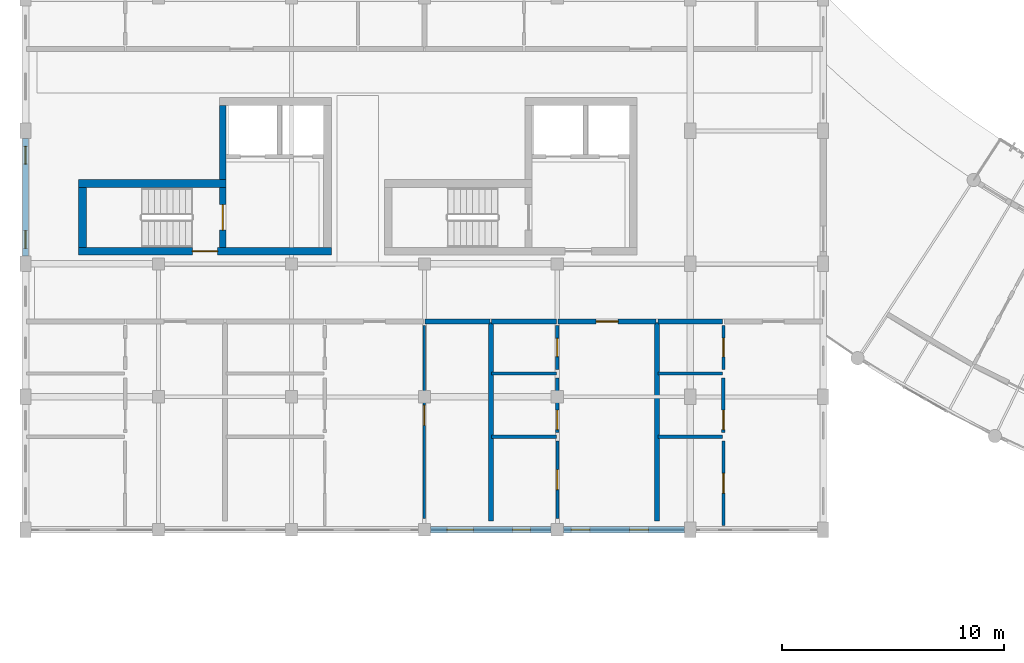
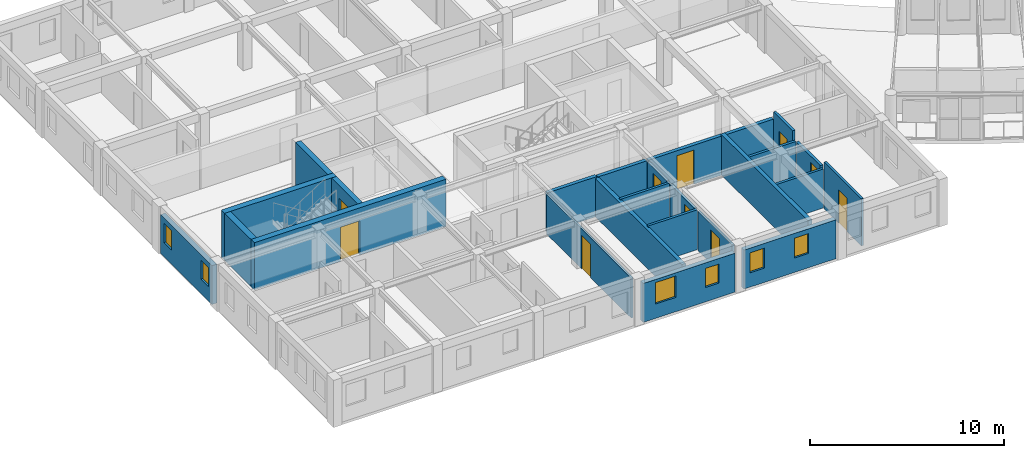
# One storey, part 55 of 101: 25 walls, 10 doors, 6 windows, 16 openings.
"""IFC4 building model written with IfcOpenShell, lengths in metres."""

from ifc_helpers import new_model, si_unit, direction, frame, frame_2d, origin, place, context, subcontext, project, spatial, rectangle, extrude, material, layer, layer_set, type_object, element, fill, save


model = new_model("IFC4")

# Units and contexts
model_context = context("Model", 3, precision=1e-05, world=origin(), true_north=direction((0.0, 1.0)))
body_context = subcontext(model_context, "Body", "Model", "MODEL_VIEW")
ifc_project = project(units=[si_unit("LENGTHUNIT", "METRE"), si_unit("AREAUNIT", "SQUARE_METRE"), si_unit("VOLUMEUNIT", "CUBIC_METRE"), si_unit("PLANEANGLEUNIT", "RADIAN"), si_unit("MASSUNIT", "GRAM", prefix="KILO"), si_unit("POWERUNIT", "WATT"), si_unit("THERMODYNAMICTEMPERATUREUNIT", "KELVIN")], contexts=[model_context])

# Site, building, storey
site_placement = place(None, origin())
site = spatial("IfcSite", under=ifc_project, at=site_placement, CompositionType="ELEMENT")
building_placement = place(site_placement, origin())
building = spatial("IfcBuilding", under=site, at=building_placement, Name="Ruvembo Vaulted Housing Court", CompositionType="ELEMENT")
storey_placement = place(building_placement, frame((0.0, 0.0, 17.300048828125)))
storey = spatial("IfcBuildingStorey", under=building, at=storey_placement, Name="L05", CompositionType="ELEMENT", Elevation=17.300048828125)

# Wall, opening, door
ifc_material_1 = material(Name="Concrete C35/45", Category="concrete")
ifc_layer_1 = layer(ifc_material_1, 0.300048828125, Name="Concrete C35/45")
ifc_layer_set_1 = layer_set([ifc_layer_1], Name="Concrete C35/45")
wall_type_1 = type_object("IfcWallType", Name="WL-CORE-300", PredefinedType="SHEAR", material=ifc_layer_set_1)
wall_1_placement = place(storey_placement, frame((8.89990234375, 18.75, 0.0), z_axis=(0.0, 0.0, 1.0), x_axis=(0.0, 1.0, 0.0)))
wall_1 = element("IfcWall", 1, at=wall_1_placement, inside=storey, type_object=wall_type_1, Name="Core A1 L05 Stair-Lobby Shear Wall", PredefinedType="SHEAR", context=body_context, shape_type="SweptSolid", body=[
    extrude(rectangle(XDim=2.699951171875, YDim=0.300048828125, at=frame_2d((1.35009765625, 0.0))), origin(), (0.0, 0.0, 1.0), 2.96484375),
])
opening_1_placement = place(wall_1_placement, frame((0.77490234375, 0.0, 0.0)))
opening_1 = element("IfcOpeningElement", 2, at=opening_1_placement, cuts=wall_1, Name="Opening SD1", PredefinedType="OPENING", context=body_context, shape_type="SweptSolid", body=[
    extrude(rectangle(XDim=1.14990234375, YDim=2.14990234375, at=frame_2d((0.574951171875, 1.074951171875))), frame((0.0, 0.159912109375, 0.0), z_axis=(0.0, -1.0, 0.0), x_axis=(1.0, 0.0, 0.0)), (0.0, 0.0, 1.0), 0.320068359375),
])
ifc_material_2 = material(Name="Galvanised Painted Steel", Category="steel")
door_type_1 = type_object("IfcDoorType", Name="DR-STAIR-1150x2150", OperationType="NOTDEFINED", PredefinedType="DOOR", material=ifc_material_2)
door_1_placement = place(opening_1_placement, origin())
door_1 = element("IfcDoor", 3, at=door_1_placement, inside=storey, type_object=door_type_1, Name="Stair ST-A1 L05 Fire Door", OperationType="SINGLE_SWING_RIGHT", OverallHeight=2.14990234375, OverallWidth=1.14990234375, PredefinedType="DOOR", context=body_context, shape_type="SweptSolid", body=[
    extrude(rectangle(XDim=1.14990234375, YDim=2.14990234375, at=frame_2d((0.574951171875, 1.074951171875))), frame((0.0, 0.02490234375, 0.0), z_axis=(0.0, -1.0, 0.0), x_axis=(1.0, 0.0, 0.0)), (0.0, 0.0, 1.0), 0.050048828125),
])
fill(opening_1, door_1)

# Wall
wall_2_placement = place(storey_placement, frame((8.89990234375, 21.800048828125, 0.0), z_axis=(0.0, 0.0, 1.0), x_axis=(0.0, 1.0, 0.0)))
element("IfcWall", 4, at=wall_2_placement, inside=storey, type_object=wall_type_1, Name="Core A1 L05 Upper West Shear Wall", PredefinedType="SHEAR", context=body_context, shape_type="SweptSolid", body=[
    extrude(rectangle(XDim=3.349853515625, YDim=0.300048828125, at=frame_2d((1.6748046875, 0.0))), origin(), (0.0, 0.0, 1.0), 2.96484375),
])

# Wall, opening, door
ifc_layer_2 = layer(ifc_material_1, 0.35009765625, Name="Concrete C35/45")
ifc_layer_set_2 = layer_set([ifc_layer_2], Name="Concrete C35/45")
wall_type_2 = type_object("IfcWallType", Name="WL-CORE-350", PredefinedType="SHEAR", material=ifc_layer_set_2)
wall_3_placement = place(storey_placement, frame((2.39990234375, 18.574951171875, 0.0), z_axis=(0.0, 0.0, 1.0), x_axis=(1.0, 0.0, 0.0)))
wall_3 = element("IfcWall", 5, at=wall_3_placement, inside=storey, type_object=wall_type_2, Name="Core A1 L05 South Shear Wall", PredefinedType="SHEAR", context=body_context, shape_type="SweptSolid", body=[
    extrude(rectangle(XDim=11.400146484375, YDim=0.35009765625, at=frame_2d((5.7001953125, 0.0))), origin(), (0.0, 0.0, 1.0), 2.96484375),
])
opening_2_placement = place(wall_3_placement, frame((5.125, 0.0, 0.0)))
opening_2 = element("IfcOpeningElement", 6, at=opening_2_placement, cuts=wall_3, Name="Opening LD0", PredefinedType="OPENING", context=body_context, shape_type="SweptSolid", body=[
    extrude(rectangle(XDim=1.14990234375, YDim=2.14990234375, at=frame_2d((0.574951171875, 1.074951171875))), frame((0.0, 0.18505859375, 0.0), z_axis=(0.0, -1.0, 0.0), x_axis=(1.0, 0.0, 0.0)), (0.0, 0.0, 1.0), 0.3701171875),
])
door_type_2 = type_object("IfcDoorType", Name="DR-LOB-1150x2150", OperationType="NOTDEFINED", PredefinedType="DOOR", material=ifc_material_2)
door_2_placement = place(opening_2_placement, origin())
door_2 = element("IfcDoor", 7, at=door_2_placement, inside=storey, type_object=door_type_2, Name="Core A1 L05 Lobby Fire Door", OperationType="SINGLE_SWING_LEFT", OverallHeight=2.14990234375, OverallWidth=1.14990234375, PredefinedType="DOOR", context=body_context, shape_type="SweptSolid", body=[
    extrude(rectangle(XDim=1.14990234375, YDim=2.14990234375, at=frame_2d((0.574951171875, 1.074951171875))), frame((0.0, 0.02490234375, 0.0), z_axis=(0.0, -1.0, 0.0), x_axis=(1.0, 0.0, 0.0)), (0.0, 0.0, 1.0), 0.050048828125),
])
fill(opening_2, door_2)

# Walls
wall_4_placement = place(storey_placement, frame((9.050048828125, 21.625, 0.0), z_axis=(0.0, 0.0, 1.0), x_axis=(-1.0, 0.0, 0.0)))
element("IfcWall", 8, at=wall_4_placement, inside=storey, type_object=wall_type_2, Name="Core A1 L05 Stair North Shear Wall", PredefinedType="SHEAR", context=body_context, shape_type="SweptSolid", body=[
    extrude(rectangle(XDim=6.650146484375, YDim=0.35009765625, at=frame_2d((3.3251953125, 0.0))), origin(), (0.0, 0.0, 1.0), 2.96484375),
])
wall_5_placement = place(storey_placement, frame((2.574951171875, 21.449951171875, 0.0), z_axis=(0.0, 0.0, 1.0), x_axis=(0.0, -1.0, 0.0)))
element("IfcWall", 9, at=wall_5_placement, inside=storey, type_object=wall_type_2, Name="Core A1 L05 Stair West Shear Wall", PredefinedType="SHEAR", context=body_context, shape_type="SweptSolid", body=[
    extrude(rectangle(XDim=2.699951171875, YDim=0.35009765625, at=frame_2d((1.35009765625, 0.0))), origin(), (0.0, 0.0, 1.0), 2.96484375),
])
ifc_material_3 = material(Name="Concrete Blockwork 210", Category="masonry")
ifc_layer_3 = layer(ifc_material_3, 0.2099609375, Name="Concrete Blockwork 210")
ifc_layer_set_3 = layer_set([ifc_layer_3], Name="Concrete Blockwork 210")
wall_type_3 = type_object("IfcWallType", Name="WL-CORR-210", PredefinedType="SOLIDWALL", material=ifc_layer_set_3)
wall_6_placement = place(storey_placement, frame((18.0400390625, 15.39990234375, 0.0), z_axis=(0.0, 0.0, 1.0), x_axis=(1.0, 0.0, 0.0)))
element("IfcWall", 10, at=wall_6_placement, inside=storey, type_object=wall_type_3, Name="L05 Flat A-L05-S2 Corridor Wall 2 WL-INT-L05-01396", PredefinedType="SOLIDWALL", context=body_context, shape_type="SweptSolid", body=[
    extrude(rectangle(XDim=2.919921875, YDim=0.2099609375, at=frame_2d((1.4599609375, 0.0))), origin(), (0.0, 0.0, 1.0), 2.508056640625),
])
wall_7_placement = place(storey_placement, frame((21.0400390625, 15.39990234375, 0.0), z_axis=(0.0, 0.0, 1.0), x_axis=(1.0, 0.0, 0.0)))
element("IfcWall", 11, at=wall_7_placement, inside=storey, type_object=wall_type_3, Name="L05 Flat A-L05-S3 Corridor Wall WL-INT-L05-01399", PredefinedType="SOLIDWALL", context=body_context, shape_type="SweptSolid", body=[
    extrude(rectangle(XDim=2.919921875, YDim=0.2099609375, at=frame_2d((1.4599609375, 0.0))), origin(), (0.0, 0.0, 1.0), 2.4580078125),
])

# Wall, opening, door
wall_8_placement = place(storey_placement, frame((24.0400390625, 15.39990234375, 0.0), z_axis=(0.0, 0.0, 1.0), x_axis=(1.0, 0.0, 0.0)))
wall_8 = element("IfcWall", 12, at=wall_8_placement, inside=storey, type_object=wall_type_3, Name="L05 Flat A-L05-S3 Entrance WL-INT-L05-01400", PredefinedType="SOLIDWALL", context=body_context, shape_type="SweptSolid", body=[
    extrude(rectangle(XDim=4.419921875, YDim=0.2099609375, at=frame_2d((2.2099609375, 0.0))), origin(), (0.0, 0.0, 1.0), 2.4580078125),
])
opening_3_placement = place(wall_8_placement, frame((1.7099609375, 0.0, 0.0)))
opening_3 = element("IfcOpeningElement", 13, at=opening_3_placement, cuts=wall_8, Name="Opening FD1", PredefinedType="OPENING", context=body_context, shape_type="SweptSolid", body=[
    extrude(rectangle(XDim=1.0, YDim=2.14990234375, at=frame_2d((0.5, 1.074951171875))), frame((0.0, 0.114990234375, 0.0), z_axis=(0.0, -1.0, 0.0), x_axis=(1.0, 0.0, 0.0)), (0.0, 0.0, 1.0), 0.22998046875),
])
ifc_material_4 = material(Name="FSC Hardwood and Engineered Timber", Category="wood")
door_type_3 = type_object("IfcDoorType", Name="DR-FLAT-1000x2150", OperationType="NOTDEFINED", PredefinedType="DOOR", material=ifc_material_4)
door_3_placement = place(opening_3_placement, origin())
door_3 = element("IfcDoor", 14, at=door_3_placement, inside=storey, type_object=door_type_3, Name="L05 Flat A-L05-S3 Entrance Door DR-INT-L05-00789", OperationType="SINGLE_SWING_LEFT", OverallHeight=2.14990234375, OverallWidth=1.0, PredefinedType="DOOR", context=body_context, shape_type="SweptSolid", body=[
    extrude(rectangle(XDim=1.0, YDim=2.14990234375, at=frame_2d((0.5, 1.074951171875))), frame((0.0, 0.02490234375, 0.0), z_axis=(0.0, -1.0, 0.0), x_axis=(1.0, 0.0, 0.0)), (0.0, 0.0, 1.0), 0.050048828125),
])
fill(opening_3, door_3)

# Walls
wall_9_placement = place(storey_placement, frame((28.5400390625, 15.39990234375, 0.0), z_axis=(0.0, 0.0, 1.0), x_axis=(1.0, 0.0, 0.0)))
element("IfcWall", 15, at=wall_9_placement, inside=storey, type_object=wall_type_3, Name="L05 Flat A-L05-S4 Corridor Wall WL-INT-L05-01406", PredefinedType="SOLIDWALL", context=body_context, shape_type="SweptSolid", body=[
    extrude(rectangle(XDim=2.919921875, YDim=0.2099609375, at=frame_2d((1.4599609375, 0.0))), origin(), (0.0, 0.0, 1.0), 2.447021484375),
])
ifc_material_5 = material(Name="Acoustic Masonry Demising 230", Category="masonry")
ifc_layer_4 = layer(ifc_material_5, 0.22998046875, Name="Acoustic Masonry Demising 230")
ifc_layer_set_4 = layer_set([ifc_layer_4], Name="Acoustic Masonry Demising 230")
wall_type_4 = type_object("IfcWallType", Name="WL-DEM-230", PredefinedType="SOLIDWALL", material=ifc_layer_set_4)
wall_10_placement = place(storey_placement, frame((21.0, 6.389892578125, 0.0), z_axis=(0.0, 0.0, 1.0), x_axis=(0.0, 1.0, 0.0)))
element("IfcWall", 16, at=wall_10_placement, inside=storey, type_object=wall_type_4, Name="L05 Demising A-L05-S2 WL-INT-L05-01388", PredefinedType="SOLIDWALL", context=body_context, shape_type="SweptSolid", body=[
    extrude(rectangle(XDim=8.97021484375, YDim=0.22998046875, at=frame_2d((4.485107421875, 0.0))), origin(), (0.0, 0.0, 1.0), 2.407958984375),
])
wall_11_placement = place(storey_placement, frame((28.5, 6.389892578125, 0.0), z_axis=(0.0, 0.0, 1.0), x_axis=(0.0, 1.0, 0.0)))
element("IfcWall", 17, at=wall_11_placement, inside=storey, type_object=wall_type_4, Name="L05 Demising A-L05-S3 WL-INT-L05-01398", PredefinedType="SOLIDWALL", context=body_context, shape_type="SweptSolid", body=[
    extrude(rectangle(XDim=8.97021484375, YDim=0.22998046875, at=frame_2d((4.485107421875, 0.0))), origin(), (0.0, 0.0, 1.0), 2.5478515625),
])

# Wall, openings, windows
ifc_material_6 = material(Name="Rendered Masonry 285", Category="masonry")
ifc_layer_5 = layer(ifc_material_6, 0.284912109375, Name="Rendered Masonry 285")
ifc_layer_set_5 = layer_set([ifc_layer_5], Name="Rendered Masonry 285")
wall_type_5 = type_object("IfcWallType", Name="WL-EXT-285", PredefinedType="STANDARD", material=ifc_layer_set_5)
wall_12_placement = place(storey_placement, frame((18.27490234375, 6.0, 0.0), z_axis=(0.0, 0.0, 1.0), x_axis=(1.0, 0.0, 0.0)))
wall_12 = element("IfcWall", 18, at=wall_12_placement, inside=storey, type_object=wall_type_5, Name="Block A L05 Exterior Wall STREET #4", PredefinedType="STANDARD", context=body_context, shape_type="SweptSolid", body=[
    extrude(rectangle(XDim=5.4501953125, YDim=0.284912109375, at=frame_2d((2.72509765625, 0.0))), origin(), (0.0, 0.0, 1.0), 2.447021484375),
])
opening_4_placement = place(wall_12_placement, frame((0.742431640625, 0.0, 0.89990234375)))
opening_4 = element("IfcOpeningElement", 19, at=opening_4_placement, cuts=wall_12, Name="Opening W12", PredefinedType="OPENING", context=body_context, shape_type="SweptSolid", body=[
    extrude(rectangle(XDim=1.199951171875, YDim=1.35009765625, at=frame_2d((0.60009765625, 0.675048828125))), frame((0.0, 0.15234375, 0.0), z_axis=(0.0, -1.0, 0.0), x_axis=(1.0, 0.0, 0.0)), (0.0, 0.0, 1.0), 0.304931640625),
])
opening_5_placement = place(wall_12_placement, frame((3.70751953125, 0.0, 0.89990234375)))
opening_5 = element("IfcOpeningElement", 20, at=opening_5_placement, cuts=wall_12, Name="Opening W02", PredefinedType="OPENING", context=body_context, shape_type="SweptSolid", body=[
    extrude(rectangle(XDim=0.800048828125, YDim=1.199951171875, at=frame_2d((0.39990234375, 0.60009765625))), frame((0.0, 0.15234375, 0.0), z_axis=(0.0, -1.0, 0.0), x_axis=(1.0, 0.0, 0.0)), (0.0, 0.0, 1.0), 0.304931640625),
])
ifc_material_7 = material(Name="Double Solar-Control Glazing in Aluminium Frame", Category="aluminium")
window_type_1 = type_object("IfcWindowType", Name="WIN-0800x1200", PartitioningType="SINGLE_PANEL", PredefinedType="WINDOW", material=ifc_material_7)
window_1_placement = place(opening_5_placement, origin())
window_1 = element("IfcWindow", 21, at=window_1_placement, inside=storey, type_object=window_type_1, Name="Block A L05 Window #216", OverallHeight=1.199951171875, OverallWidth=0.800048828125, PartitioningType="SINGLE_PANEL", PredefinedType="WINDOW", context=body_context, shape_type="SweptSolid", body=[
    extrude(rectangle(XDim=0.800048828125, YDim=1.199951171875, at=frame_2d((0.39990234375, 0.60009765625))), frame((0.0, 0.030029296875, 0.0), z_axis=(0.0, -1.0, 0.0), x_axis=(1.0, 0.0, 0.0)), (0.0, 0.0, 1.0), 0.06005859375),
])
fill(opening_5, window_1)
window_type_2 = type_object("IfcWindowType", Name="WIN-1200x1350", PartitioningType="SINGLE_PANEL", PredefinedType="WINDOW", material=ifc_material_7)
window_2_placement = place(opening_4_placement, origin())
window_2 = element("IfcWindow", 22, at=window_2_placement, inside=storey, type_object=window_type_2, Name="Block A L05 Window #215", OverallHeight=1.35009765625, OverallWidth=1.199951171875, PartitioningType="SINGLE_PANEL", PredefinedType="WINDOW", context=body_context, shape_type="SweptSolid", body=[
    extrude(rectangle(XDim=1.199951171875, YDim=1.35009765625, at=frame_2d((0.60009765625, 0.675048828125))), frame((0.0, 0.030029296875, 0.0), z_axis=(0.0, -1.0, 0.0), x_axis=(1.0, 0.0, 0.0)), (0.0, 0.0, 1.0), 0.06005859375),
])
fill(opening_4, window_2)

wall_13_placement = place(storey_placement, frame((24.27490234375, 6.0, 0.0), z_axis=(0.0, 0.0, 1.0), x_axis=(1.0, 0.0, 0.0)))
wall_13 = element("IfcWall", 23, at=wall_13_placement, inside=storey, type_object=wall_type_5, Name="Block A L05 Exterior Wall STREET #5", PredefinedType="STANDARD", context=body_context, shape_type="SweptSolid", body=[
    extrude(rectangle(XDim=5.47509765625, YDim=0.284912109375, at=frame_2d((2.737548828125, 0.0))), origin(), (0.0, 0.0, 1.0), 2.447021484375),
])
opening_6_placement = place(wall_13_placement, frame((0.35009765625, 0.0, 0.89990234375)))
opening_6 = element("IfcOpeningElement", 24, at=opening_6_placement, cuts=wall_13, Name="Opening W03", PredefinedType="OPENING", context=body_context, shape_type="SweptSolid", body=[
    extrude(rectangle(XDim=0.85009765625, YDim=1.25, at=frame_2d((0.425048828125, 0.625))), frame((0.0, 0.15234375, 0.0), z_axis=(0.0, -1.0, 0.0), x_axis=(1.0, 0.0, 0.0)), (0.0, 0.0, 1.0), 0.304931640625),
])
opening_7_placement = place(wall_13_placement, frame((2.985107421875, 0.0, 0.89990234375)))
opening_7 = element("IfcOpeningElement", 25, at=opening_7_placement, cuts=wall_13, Name="Opening W03", PredefinedType="OPENING", context=body_context, shape_type="SweptSolid", body=[
    extrude(rectangle(XDim=0.85009765625, YDim=1.25, at=frame_2d((0.425048828125, 0.625))), frame((0.0, 0.15234375, 0.0), z_axis=(0.0, -1.0, 0.0), x_axis=(1.0, 0.0, 0.0)), (0.0, 0.0, 1.0), 0.304931640625),
])
window_type_3 = type_object("IfcWindowType", Name="WIN-0850x1250", PartitioningType="SINGLE_PANEL", PredefinedType="WINDOW", material=ifc_material_7)
window_3_placement = place(opening_6_placement, origin())
window_3 = element("IfcWindow", 26, at=window_3_placement, inside=storey, type_object=window_type_3, Name="Block A L05 Window #217", OverallHeight=1.25, OverallWidth=0.85009765625, PartitioningType="SINGLE_PANEL", PredefinedType="WINDOW", context=body_context, shape_type="SweptSolid", body=[
    extrude(rectangle(XDim=0.85009765625, YDim=1.25, at=frame_2d((0.425048828125, 0.625))), frame((0.0, 0.030029296875, 0.0), z_axis=(0.0, -1.0, 0.0), x_axis=(1.0, 0.0, 0.0)), (0.0, 0.0, 1.0), 0.06005859375),
])
fill(opening_6, window_3)
window_4_placement = place(opening_7_placement, origin())
window_4 = element("IfcWindow", 27, at=window_4_placement, inside=storey, type_object=window_type_3, Name="Block A L05 Window #218", OverallHeight=1.25, OverallWidth=0.85009765625, PartitioningType="SINGLE_PANEL", PredefinedType="WINDOW", context=body_context, shape_type="SweptSolid", body=[
    extrude(rectangle(XDim=0.85009765625, YDim=1.25, at=frame_2d((0.425048828125, 0.625))), frame((0.0, 0.030029296875, 0.0), z_axis=(0.0, -1.0, 0.0), x_axis=(1.0, 0.0, 0.0)), (0.0, 0.0, 1.0), 0.06005859375),
])
fill(opening_7, window_4)

wall_14_placement = place(storey_placement, frame((0.0, 23.64990234375, 0.0), z_axis=(0.0, 0.0, 1.0), x_axis=(0.0, -1.0, 0.0)))
wall_14 = element("IfcWall", 28, at=wall_14_placement, inside=storey, type_object=wall_type_5, Name="Block A L05 Exterior Wall WEST #4", PredefinedType="STANDARD", context=body_context, shape_type="SweptSolid", body=[
    extrude(rectangle(XDim=5.2998046875, YDim=0.284912109375, at=frame_2d((2.64990234375, 0.0))), origin(), (0.0, 0.0, 1.0), 2.447021484375),
])
opening_8_placement = place(wall_14_placement, frame((0.35009765625, 0.0, 0.89990234375)))
opening_8 = element("IfcOpeningElement", 29, at=opening_8_placement, cuts=wall_14, Name="Opening W02", PredefinedType="OPENING", context=body_context, shape_type="SweptSolid", body=[
    extrude(rectangle(XDim=0.800048828125, YDim=1.199951171875, at=frame_2d((0.39990234375, 0.60009765625))), frame((0.0, 0.15234375, 0.0), z_axis=(0.0, -1.0, 0.0), x_axis=(1.0, 0.0, 0.0)), (0.0, 0.0, 1.0), 0.304931640625),
])
opening_9_placement = place(wall_14_placement, frame((4.14990234375, 0.0, 0.89990234375)))
opening_9 = element("IfcOpeningElement", 30, at=opening_9_placement, cuts=wall_14, Name="Opening W02", PredefinedType="OPENING", context=body_context, shape_type="SweptSolid", body=[
    extrude(rectangle(XDim=0.800048828125, YDim=1.199951171875, at=frame_2d((0.39990234375, 0.60009765625))), frame((0.0, 0.15234375, 0.0), z_axis=(0.0, -1.0, 0.0), x_axis=(1.0, 0.0, 0.0)), (0.0, 0.0, 1.0), 0.304931640625),
])
window_5_placement = place(opening_8_placement, origin())
window_5 = element("IfcWindow", 31, at=window_5_placement, inside=storey, type_object=window_type_1, Name="Block A L05 Window #246", OverallHeight=1.199951171875, OverallWidth=0.800048828125, PartitioningType="SINGLE_PANEL", PredefinedType="WINDOW", context=body_context, shape_type="SweptSolid", body=[
    extrude(rectangle(XDim=0.800048828125, YDim=1.199951171875, at=frame_2d((0.39990234375, 0.60009765625))), frame((0.0, 0.030029296875, 0.0), z_axis=(0.0, -1.0, 0.0), x_axis=(1.0, 0.0, 0.0)), (0.0, 0.0, 1.0), 0.06005859375),
])
fill(opening_8, window_5)
window_6_placement = place(opening_9_placement, origin())
window_6 = element("IfcWindow", 32, at=window_6_placement, inside=storey, type_object=window_type_1, Name="Block A L05 Window #247", OverallHeight=1.199951171875, OverallWidth=0.800048828125, PartitioningType="SINGLE_PANEL", PredefinedType="WINDOW", context=body_context, shape_type="SweptSolid", body=[
    extrude(rectangle(XDim=0.800048828125, YDim=1.199951171875, at=frame_2d((0.39990234375, 0.60009765625))), frame((0.0, 0.030029296875, 0.0), z_axis=(0.0, -1.0, 0.0), x_axis=(1.0, 0.0, 0.0)), (0.0, 0.0, 1.0), 0.06005859375),
])
fill(opening_9, window_6)

# Wall, opening, door
ifc_material_8 = material(Name="Plasterboard Stud Partition 125", Category="gypsum")
ifc_layer_6 = layer(ifc_material_8, 0.125, Name="Plasterboard Stud Partition 125")
ifc_layer_set_6 = layer_set([ifc_layer_6], Name="Plasterboard Stud Partition 125")
wall_type_6 = type_object("IfcWallType", Name="WL-PART-125", PredefinedType="PARTITIONING", material=ifc_layer_set_6)
wall_15_placement = place(storey_placement, frame((18.0, 6.510009765625, 0.0), z_axis=(0.0, 0.0, 1.0), x_axis=(0.0, 1.0, 0.0)))
wall_15 = element("IfcWall", 33, at=wall_15_placement, inside=storey, type_object=wall_type_6, Name="L05 Flat A-L05-S2 Bedroom 2 WL-INT-L05-01397", PredefinedType="PARTITIONING", context=body_context, shape_type="SweptSolid", body=[
    extrude(rectangle(XDim=8.699951171875, YDim=0.125, at=frame_2d((4.35009765625, 0.0))), origin(), (0.0, 0.0, 1.0), 2.508056640625),
])
opening_10_placement = place(wall_15_placement, frame((4.199951171875, 0.0, 0.0)))
opening_10 = element("IfcOpeningElement", 34, at=opening_10_placement, cuts=wall_15, Name="Opening ID1", PredefinedType="OPENING", context=body_context, shape_type="SweptSolid", body=[
    extrude(rectangle(XDim=0.89990234375, YDim=2.10009765625, at=frame_2d((0.449951171875, 1.050048828125))), frame((0.0, 0.072509765625, 0.0), z_axis=(0.0, -1.0, 0.0), x_axis=(1.0, 0.0, 0.0)), (0.0, 0.0, 1.0), 0.14501953125),
])
door_type_4 = type_object("IfcDoorType", Name="DR-ROOM-0900x2100", OperationType="NOTDEFINED", PredefinedType="DOOR", material=ifc_material_4)
door_4_placement = place(opening_10_placement, origin())
door_4 = element("IfcDoor", 35, at=door_4_placement, inside=storey, type_object=door_type_4, Name="L05 Flat A-L05-S2 Bedroom 2 Door DR-INT-L05-00788", OperationType="SINGLE_SWING_RIGHT", OverallHeight=2.10009765625, OverallWidth=0.89990234375, PredefinedType="DOOR", context=body_context, shape_type="SweptSolid", body=[
    extrude(rectangle(XDim=0.89990234375, YDim=2.10009765625, at=frame_2d((0.449951171875, 1.050048828125))), frame((0.0, 0.02490234375, 0.0), z_axis=(0.0, -1.0, 0.0), x_axis=(1.0, 0.0, 0.0)), (0.0, 0.0, 1.0), 0.050048828125),
])
fill(opening_10, door_4)

wall_16_placement = place(storey_placement, frame((31.5, 6.18994140625, 0.0), z_axis=(0.0, 0.0, 1.0), x_axis=(0.0, 1.0, 0.0)))
wall_16 = element("IfcWall", 36, at=wall_16_placement, inside=storey, type_object=wall_type_6, Name="L05 Flat A-L05-S4 Bedroom 1 WL-INT-L05-01408", PredefinedType="PARTITIONING", context=body_context, shape_type="SweptSolid", body=[
    extrude(rectangle(XDim=3.820068359375, YDim=0.125, at=frame_2d((1.91015625, 0.0))), origin(), (0.0, 0.0, 1.0), 2.96484375),
])
opening_11_placement = place(wall_16_placement, frame((1.4599609375, 0.0, 0.0)))
opening_11 = element("IfcOpeningElement", 37, at=opening_11_placement, cuts=wall_16, Name="Opening ID1", PredefinedType="OPENING", context=body_context, shape_type="SweptSolid", body=[
    extrude(rectangle(XDim=0.89990234375, YDim=2.10009765625, at=frame_2d((0.449951171875, 1.050048828125))), frame((0.0, 0.072509765625, 0.0), z_axis=(0.0, -1.0, 0.0), x_axis=(1.0, 0.0, 0.0)), (0.0, 0.0, 1.0), 0.14501953125),
])
door_5_placement = place(opening_11_placement, origin())
door_5 = element("IfcDoor", 38, at=door_5_placement, inside=storey, type_object=door_type_4, Name="L05 Flat A-L05-S4 Bedroom 1 Door DR-INT-L05-00794", OperationType="SINGLE_SWING_RIGHT", OverallHeight=2.10009765625, OverallWidth=0.89990234375, PredefinedType="DOOR", context=body_context, shape_type="SweptSolid", body=[
    extrude(rectangle(XDim=0.89990234375, YDim=2.10009765625, at=frame_2d((0.449951171875, 1.050048828125))), frame((0.0, 0.02490234375, 0.0), z_axis=(0.0, -1.0, 0.0), x_axis=(1.0, 0.0, 0.0)), (0.0, 0.0, 1.0), 0.050048828125),
])
fill(opening_11, door_5)

ifc_material_9 = material(Name="Acoustic Stud Partition 135", Category="gypsum")
ifc_layer_7 = layer(ifc_material_9, 0.135009765625, Name="Acoustic Stud Partition 135")
ifc_layer_set_7 = layer_set([ifc_layer_7], Name="Acoustic Stud Partition 135")
wall_type_7 = type_object("IfcWallType", Name="WL-PART-135", PredefinedType="PARTITIONING", material=ifc_layer_set_7)
wall_17_placement = place(storey_placement, frame((24.0, 6.510009765625, 0.0), z_axis=(0.0, 0.0, 1.0), x_axis=(0.0, 1.0, 0.0)))
wall_17 = element("IfcWall", 39, at=wall_17_placement, inside=storey, type_object=wall_type_7, Name="L05 Flat A-L05-S3 Bedroom 1 WL-INT-L05-01401", PredefinedType="PARTITIONING", context=body_context, shape_type="SweptSolid", body=[
    extrude(rectangle(XDim=3.5, YDim=0.135009765625, at=frame_2d((1.75, 0.0))), origin(), (0.0, 0.0, 1.0), 2.508056640625),
])
opening_12_placement = place(wall_17_placement, frame((1.300048828125, 0.0, 0.0)))
opening_12 = element("IfcOpeningElement", 40, at=opening_12_placement, cuts=wall_17, Name="Opening ID1", PredefinedType="OPENING", context=body_context, shape_type="SweptSolid", body=[
    extrude(rectangle(XDim=0.89990234375, YDim=2.10009765625, at=frame_2d((0.449951171875, 1.050048828125))), frame((0.0, 0.077392578125, 0.0), z_axis=(0.0, -1.0, 0.0), x_axis=(1.0, 0.0, 0.0)), (0.0, 0.0, 1.0), 0.155029296875),
])
door_6_placement = place(opening_12_placement, origin())
door_6 = element("IfcDoor", 41, at=door_6_placement, inside=storey, type_object=door_type_4, Name="L05 Flat A-L05-S3 Bedroom 1 Door DR-INT-L05-00790", OperationType="SINGLE_SWING_RIGHT", OverallHeight=2.10009765625, OverallWidth=0.89990234375, PredefinedType="DOOR", context=body_context, shape_type="SweptSolid", body=[
    extrude(rectangle(XDim=0.89990234375, YDim=2.10009765625, at=frame_2d((0.449951171875, 1.050048828125))), frame((0.0, 0.02490234375, 0.0), z_axis=(0.0, -1.0, 0.0), x_axis=(1.0, 0.0, 0.0)), (0.0, 0.0, 1.0), 0.050048828125),
])
fill(opening_12, door_6)

ifc_material_10 = material(Name="Moisture-Resistant Wet Partition 150", Category="gypsum")
ifc_layer_8 = layer(ifc_material_10, 0.14990234375, Name="Moisture-Resistant Wet Partition 150")
ifc_layer_set_8 = layer_set([ifc_layer_8], Name="Moisture-Resistant Wet Partition 150")
wall_type_8 = type_object("IfcWallType", Name="WL-PART-150", PredefinedType="PARTITIONING", material=ifc_layer_set_8)
wall_18_placement = place(storey_placement, frame((24.0, 13.239990234375, 0.0), z_axis=(0.0, 0.0, 1.0), x_axis=(0.0, 1.0, 0.0)))
wall_18 = element("IfcWall", 42, at=wall_18_placement, inside=storey, type_object=wall_type_8, Name="L05 Flat A-L05-S3 Bathroom WL-INT-L05-01403", PredefinedType="PARTITIONING", context=body_context, shape_type="SweptSolid", body=[
    extrude(rectangle(XDim=1.969970703125, YDim=0.14990234375, at=frame_2d((0.98486328125, 0.0))), origin(), (0.0, 0.0, 1.0), 2.4580078125),
])
opening_13_placement = place(wall_18_placement, frame((0.574951171875, 0.0, 0.0)))
opening_13 = element("IfcOpeningElement", 43, at=opening_13_placement, cuts=wall_18, Name="Opening ID4", PredefinedType="OPENING", context=body_context, shape_type="SweptSolid", body=[
    extrude(rectangle(XDim=0.820068359375, YDim=2.080078125, at=frame_2d((0.41015625, 1.0400390625))), frame((0.0, 0.0849609375, 0.0), z_axis=(0.0, -1.0, 0.0), x_axis=(1.0, 0.0, 0.0)), (0.0, 0.0, 1.0), 0.169921875),
])
door_type_5 = type_object("IfcDoorType", Name="DR-WET-0820x2080", OperationType="NOTDEFINED", PredefinedType="DOOR", material=ifc_material_4)
door_7_placement = place(opening_13_placement, origin())
door_7 = element("IfcDoor", 44, at=door_7_placement, inside=storey, type_object=door_type_5, Name="L05 Flat A-L05-S3 Bathroom Door DR-INT-L05-00792", OperationType="SINGLE_SWING_RIGHT", OverallHeight=2.080078125, OverallWidth=0.820068359375, PredefinedType="DOOR", context=body_context, shape_type="SweptSolid", body=[
    extrude(rectangle(XDim=0.820068359375, YDim=2.080078125, at=frame_2d((0.41015625, 1.0400390625))), frame((0.0, 0.02490234375, 0.0), z_axis=(0.0, -1.0, 0.0), x_axis=(1.0, 0.0, 0.0)), (0.0, 0.0, 1.0), 0.050048828125),
])
fill(opening_13, door_7)

# Walls
wall_19_placement = place(storey_placement, frame((21.0400390625, 10.199951171875, 0.0), z_axis=(0.0, 0.0, 1.0), x_axis=(1.0, 0.0, 0.0)))
element("IfcWall", 45, at=wall_19_placement, inside=storey, type_object=wall_type_8, Name="L05 Flat A-L05-S3 Wet Wall 1 WL-INT-L05-01404", PredefinedType="PARTITIONING", context=body_context, shape_type="SweptSolid", body=[
    extrude(rectangle(XDim=2.919921875, YDim=0.14990234375, at=frame_2d((1.4599609375, 0.0))), origin(), (0.0, 0.0, 1.0), 2.508056640625),
])
wall_20_placement = place(storey_placement, frame((21.0400390625, 13.050048828125, 0.0), z_axis=(0.0, 0.0, 1.0), x_axis=(1.0, 0.0, 0.0)))
element("IfcWall", 46, at=wall_20_placement, inside=storey, type_object=wall_type_8, Name="L05 Flat A-L05-S3 Wet Wall 2 WL-INT-L05-01405", PredefinedType="PARTITIONING", context=body_context, shape_type="SweptSolid", body=[
    extrude(rectangle(XDim=2.919921875, YDim=0.14990234375, at=frame_2d((1.4599609375, 0.0))), origin(), (0.0, 0.0, 1.0), 2.4580078125),
])

# Wall, opening, door
wall_21_placement = place(storey_placement, frame((31.5, 13.239990234375, 0.0), z_axis=(0.0, 0.0, 1.0), x_axis=(0.0, 1.0, 0.0)))
wall_21 = element("IfcWall", 47, at=wall_21_placement, inside=storey, type_object=wall_type_8, Name="L05 Flat A-L05-S4 Bathroom WL-INT-L05-01410", PredefinedType="PARTITIONING", context=body_context, shape_type="SweptSolid", body=[
    extrude(rectangle(XDim=1.969970703125, YDim=0.14990234375, at=frame_2d((0.98486328125, 0.0))), origin(), (0.0, 0.0, 1.0), 2.96484375),
])
opening_14_placement = place(wall_21_placement, frame((0.56005859375, 0.0, 0.0)))
opening_14 = element("IfcOpeningElement", 48, at=opening_14_placement, cuts=wall_21, Name="Opening ID2", PredefinedType="OPENING", context=body_context, shape_type="SweptSolid", body=[
    extrude(rectangle(XDim=0.85009765625, YDim=2.10009765625, at=frame_2d((0.425048828125, 1.050048828125))), frame((0.0, 0.0849609375, 0.0), z_axis=(0.0, -1.0, 0.0), x_axis=(1.0, 0.0, 0.0)), (0.0, 0.0, 1.0), 0.169921875),
])
door_type_6 = type_object("IfcDoorType", Name="DR-WET-0850x2100", OperationType="NOTDEFINED", PredefinedType="DOOR", material=ifc_material_4)
door_8_placement = place(opening_14_placement, origin())
door_8 = element("IfcDoor", 49, at=door_8_placement, inside=storey, type_object=door_type_6, Name="L05 Flat A-L05-S4 Bathroom Door DR-INT-L05-00796", OperationType="SINGLE_SWING_RIGHT", OverallHeight=2.10009765625, OverallWidth=0.85009765625, PredefinedType="DOOR", context=body_context, shape_type="SweptSolid", body=[
    extrude(rectangle(XDim=0.85009765625, YDim=2.10009765625, at=frame_2d((0.425048828125, 1.050048828125))), frame((0.0, 0.02490234375, 0.0), z_axis=(0.0, -1.0, 0.0), x_axis=(1.0, 0.0, 0.0)), (0.0, 0.0, 1.0), 0.050048828125),
])
fill(opening_14, door_8)

# Walls
for number, where, z_axis, x_axis, name in (
    (50, (28.5400390625, 10.199951171875, 0.0), (0.0, 0.0, 1.0), (1.0, 0.0, 0.0), "L05 Flat A-L05-S4 Wet Wall 1 WL-INT-L05-01411"),
    (51, (28.5400390625, 13.050048828125, 0.0), (0.0, 0.0, 1.0), (1.0, 0.0, 0.0), "L05 Flat A-L05-S4 Wet Wall 2 WL-INT-L05-01412"),
):
    element("IfcWall", number, at=place(storey_placement, frame(where, z_axis=z_axis, x_axis=x_axis)), inside=storey, type_object=wall_type_8, Name=name, PredefinedType="PARTITIONING", context=body_context, shape_type="SweptSolid", body=[
        extrude(rectangle(XDim=2.919921875, YDim=0.14990234375, at=frame_2d((1.4599609375, 0.0))), origin(), (0.0, 0.0, 1.0), 2.447021484375),
    ])

# Wall, opening, door
ifc_material_11 = material(Name="Acoustic Service Chase Wall 160", Category="gypsum")
ifc_layer_9 = layer(ifc_material_11, 0.159912109375, Name="Acoustic Service Chase Wall 160")
ifc_layer_set_9 = layer_set([ifc_layer_9], Name="Acoustic Service Chase Wall 160")
wall_type_9 = type_object("IfcWallType", Name="WL-PLUMB-160", PredefinedType="PLUMBINGWALL", material=ifc_layer_set_9)
wall_22_placement = place(storey_placement, frame((24.0, 10.389892578125, 0.0), z_axis=(0.0, 0.0, 1.0), x_axis=(0.0, 1.0, 0.0)))
wall_22 = element("IfcWall", 52, at=wall_22_placement, inside=storey, type_object=wall_type_9, Name="L05 Flat A-L05-S3 Kitchen WL-INT-L05-01402", PredefinedType="PLUMBINGWALL", context=body_context, shape_type="SweptSolid", body=[
    extrude(rectangle(XDim=2.47021484375, YDim=0.159912109375, at=frame_2d((1.235107421875, 0.0))), origin(), (0.0, 0.0, 1.0), 2.4580078125),
])
opening_15_placement = place(wall_22_placement, frame((0.1298828125, 0.0, 0.0)))
opening_15 = element("IfcOpeningElement", 53, at=opening_15_placement, cuts=wall_22, Name="Opening ID3", PredefinedType="OPENING", context=body_context, shape_type="SweptSolid", body=[
    extrude(rectangle(XDim=0.8798828125, YDim=2.10009765625, at=frame_2d((0.43994140625, 1.050048828125))), frame((0.0, 0.08984375, 0.0), z_axis=(0.0, -1.0, 0.0), x_axis=(1.0, 0.0, 0.0)), (0.0, 0.0, 1.0), 0.179931640625),
])
door_type_7 = type_object("IfcDoorType", Name="DR-ROOM-0880x2100", OperationType="NOTDEFINED", PredefinedType="DOOR", material=ifc_material_4)
door_9_placement = place(opening_15_placement, origin())
door_9 = element("IfcDoor", 54, at=door_9_placement, inside=storey, type_object=door_type_7, Name="L05 Flat A-L05-S3 Kitchen Door DR-INT-L05-00791", OperationType="SINGLE_SWING_LEFT", OverallHeight=2.10009765625, OverallWidth=0.8798828125, PredefinedType="DOOR", context=body_context, shape_type="SweptSolid", body=[
    extrude(rectangle(XDim=0.8798828125, YDim=2.10009765625, at=frame_2d((0.43994140625, 1.050048828125))), frame((0.0, 0.02490234375, 0.0), z_axis=(0.0, -1.0, 0.0), x_axis=(1.0, 0.0, 0.0)), (0.0, 0.0, 1.0), 0.050048828125),
])
fill(opening_15, door_9)

wall_23_placement = place(storey_placement, frame((31.5, 10.389892578125, 0.0), z_axis=(0.0, 0.0, 1.0), x_axis=(0.0, 1.0, 0.0)))
wall_23 = element("IfcWall", 55, at=wall_23_placement, inside=storey, type_object=wall_type_9, Name="L05 Flat A-L05-S4 Kitchen WL-INT-L05-01409", PredefinedType="PLUMBINGWALL", context=body_context, shape_type="SweptSolid", body=[
    extrude(rectangle(XDim=2.47021484375, YDim=0.159912109375, at=frame_2d((1.235107421875, 0.0))), origin(), (0.0, 0.0, 1.0), 2.508056640625),
])
opening_16_placement = place(wall_23_placement, frame((0.1298828125, 0.0, 0.0)))
opening_16 = element("IfcOpeningElement", 56, at=opening_16_placement, cuts=wall_23, Name="Opening ID3", PredefinedType="OPENING", context=body_context, shape_type="SweptSolid", body=[
    extrude(rectangle(XDim=0.8798828125, YDim=2.10009765625, at=frame_2d((0.43994140625, 1.050048828125))), frame((0.0, 0.08984375, 0.0), z_axis=(0.0, -1.0, 0.0), x_axis=(1.0, 0.0, 0.0)), (0.0, 0.0, 1.0), 0.179931640625),
])
door_10_placement = place(opening_16_placement, origin())
door_10 = element("IfcDoor", 57, at=door_10_placement, inside=storey, type_object=door_type_7, Name="L05 Flat A-L05-S4 Kitchen Door DR-INT-L05-00795", OperationType="SINGLE_SWING_LEFT", OverallHeight=2.10009765625, OverallWidth=0.8798828125, PredefinedType="DOOR", context=body_context, shape_type="SweptSolid", body=[
    extrude(rectangle(XDim=0.8798828125, YDim=2.10009765625, at=frame_2d((0.43994140625, 1.050048828125))), frame((0.0, 0.02490234375, 0.0), z_axis=(0.0, -1.0, 0.0), x_axis=(1.0, 0.0, 0.0)), (0.0, 0.0, 1.0), 0.050048828125),
])
fill(opening_16, door_10)

save(model, "model.ifc")
